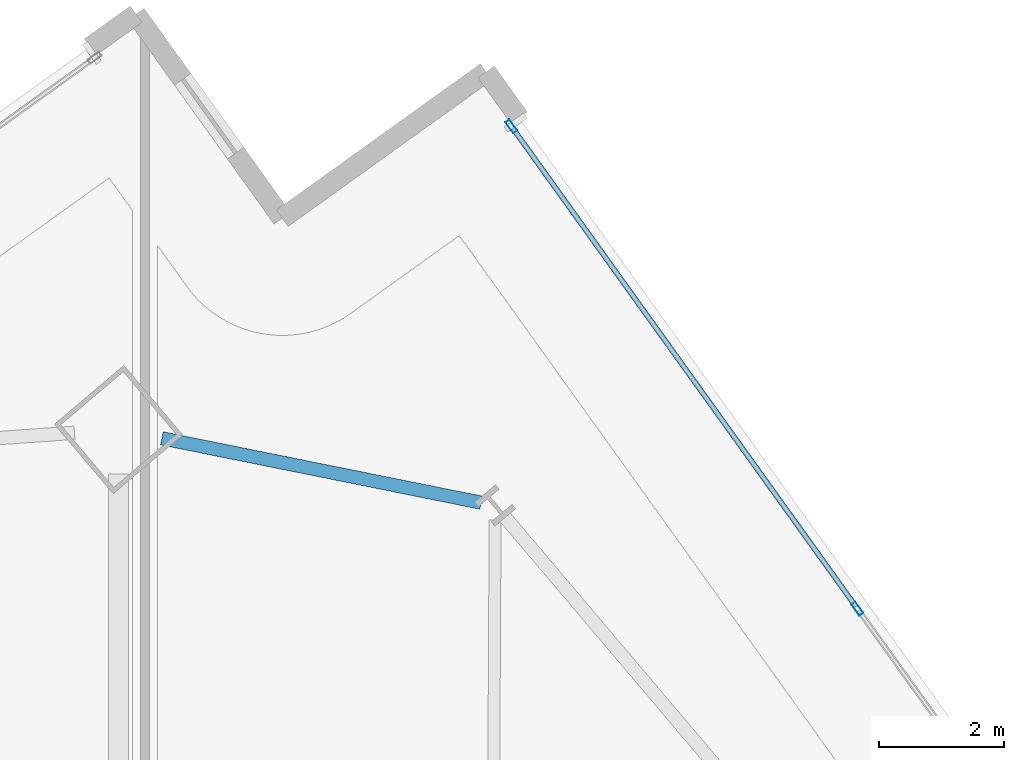
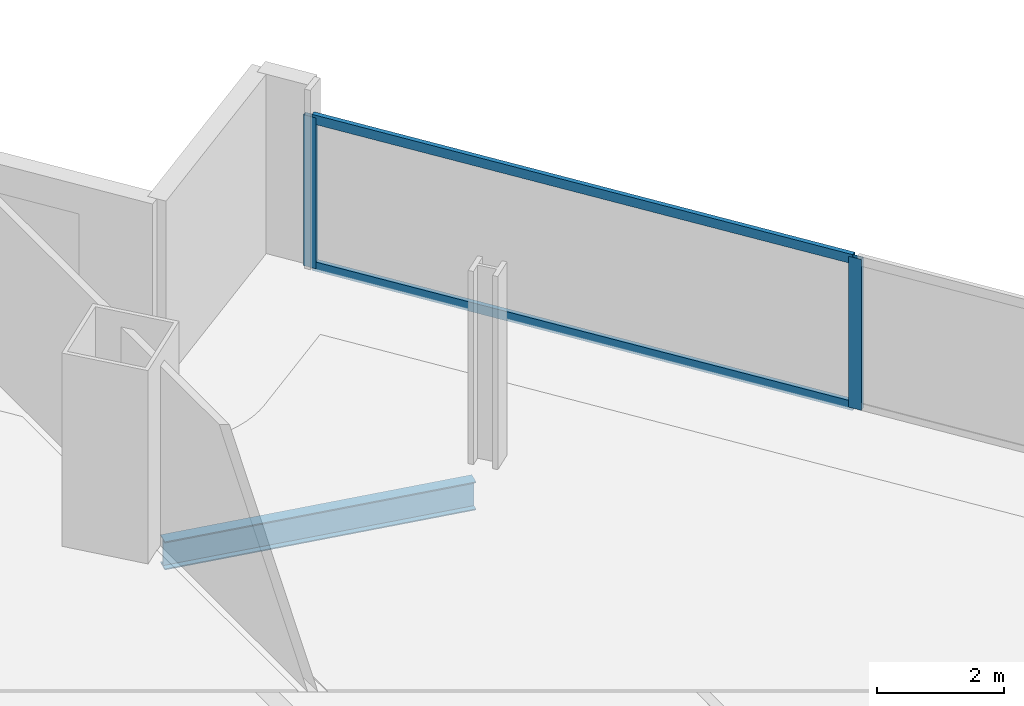
# One storey, part 21 of 33: 4 members, 1 beam, 1 element without a shape of its own.
"""IFC4 building model written with IfcOpenShell, lengths in metres."""

from ifc_helpers import new_model, si_unit, direction, frame, origin, origin_2d, place, context, subcontext, project, spatial, hollow_rectangle, i_section, extrude, material, material_profile, profile_set, type_object, element, aggregate, save


model = new_model("IFC4")

# Units and contexts
model_context = context("Model", 3, precision=1e-05, world=origin(), true_north=direction((0.0, 1.0)))
body_context = subcontext(model_context, "Body", "Model", "MODEL_VIEW")
ifc_project = project(units=[si_unit("LENGTHUNIT", "METRE"), si_unit("AREAUNIT", "SQUARE_METRE"), si_unit("VOLUMEUNIT", "CUBIC_METRE"), si_unit("PLANEANGLEUNIT", "RADIAN"), si_unit("MASSUNIT", "GRAM", prefix="KILO")], contexts=[model_context])

# Site, building, storey
site_placement = place(None, origin())
site = spatial("IfcSite", under=ifc_project, at=site_placement, CompositionType="ELEMENT")
building_placement = place(site_placement, origin())
building = spatial("IfcBuilding", under=site, at=building_placement, Name="Haldenkirk Collegiate Tower", CompositionType="ELEMENT")
storey_placement = place(building_placement, frame((0.0, 0.0, 148.199951171875)))
storey = spatial("IfcBuildingStorey", under=building, at=storey_placement, Name="L36", CompositionType="ELEMENT", Elevation=148.199951171875)

# Beam
ifc_material_1 = material(Name="Steel ASTM A992 Grade 50", Category="steel")
ifc_material_profile_1 = material_profile(ifc_material_1, i_section(OverallWidth=0.2119140625, OverallDepth=0.5439453125, WebThickness=0.01318359375, FlangeThickness=0.021240234375, at=origin_2d()), Name="W21X83")
ifc_profile_set_1 = profile_set([ifc_material_profile_1], Name="Steel ASTM A992 Grade 50")
beam_type = type_object("IfcBeamType", Name="BM-SPANDREL-W21X83", PredefinedType="SPANDREL", material=ifc_profile_set_1)
beam_placement = place(storey_placement, frame((44.85546875, 49.910400390625, -0.56201171875), z_axis=(-0.980286465062, 0.197581493102, 0.0), x_axis=(-0.197581493102, -0.980286465062, 0.0)))
element("IfcBeam", 1, at=beam_placement, inside=storey, type_object=beam_type, Name="L36 perimeter spandrel beam 08", PredefinedType="SPANDREL", context=body_context, shape_type="SweptSolid", body=[
    extrude(i_section(OverallWidth=0.2119140625, OverallDepth=0.5439453125, WebThickness=0.01318359375, FlangeThickness=0.021240234375, at=origin_2d()), origin(), (0.0, 0.0, 1.0), 5.189697265625),
])

# Curtain wall, members
ifc_material_2 = material(Name="Anodised architectural bronze aluminium", Category="aluminium")
curtain_wall_type = type_object("IfcCurtainWallType", Name="CW-SYS1-CONVEX-LOW", PredefinedType="USERDEFINED", material=ifc_material_2)
curtain_wall_placement = place(storey_placement, origin())
curtain_wall = element("IfcCurtainWall", 2, at=curtain_wall_placement, inside=storey, type_object=curtain_wall_type, Name="L36 Lower tower convex bronze-framed unitised curtain wall", ObjectType="UNITISED CURTAIN WALL", PredefinedType="USERDEFINED")
ifc_material_profile_2 = material_profile(ifc_material_2, hollow_rectangle(XDim=0.080078125, YDim=0.219970703125, WallThickness=0.0048828125, at=origin_2d()), Name="CW-MUL-1A")
ifc_profile_set_2 = profile_set([ifc_material_profile_2], Name="Anodised architectural bronze aluminium")
member_type_1 = type_object("IfcMemberType", Name="CW-MUL-1A", PredefinedType="MULLION", material=ifc_profile_set_2)
member_1_placement = place(storey_placement, frame((45.3388671875, 55.907958984375, 0.0), z_axis=(0.0, 0.0, 1.0), x_axis=(0.812592330235, 0.582832484375, 0.0)))
member_1 = element("IfcMember", 3, at=member_1_placement, type_object=member_type_1, Name="CW-1A mullion 1", PredefinedType="MULLION", context=body_context, shape_type="SweptSolid", body=[
    extrude(hollow_rectangle(XDim=0.080078125, YDim=0.219970703125, WallThickness=0.0048828125, at=origin_2d()), origin(), (0.0, 0.0, 1.0), 2.9111328125),
])
member_2_placement = place(storey_placement, frame((50.8525390625, 48.220947265625, 0.0), z_axis=(0.0, 0.0, 1.0), x_axis=(0.812592330235, 0.582832484375, 0.0)))
member_2 = element("IfcMember", 4, at=member_2_placement, type_object=member_type_1, Name="CW-1A mullion 2", PredefinedType="MULLION", context=body_context, shape_type="SweptSolid", body=[
    extrude(hollow_rectangle(XDim=0.080078125, YDim=0.219970703125, WallThickness=0.0048828125, at=origin_2d()), origin(), (0.0, 0.0, 1.0), 2.9111328125),
])
ifc_material_profile_3 = material_profile(ifc_material_2, hollow_rectangle(XDim=0.080078125, YDim=0.179931640625, WallThickness=0.0048828125, at=origin_2d()), Name="CW-TRN-1A")
ifc_profile_set_3 = profile_set([ifc_material_profile_3], Name="Anodised architectural bronze aluminium")
member_type_2 = type_object("IfcMemberType", Name="CW-TRN-1A", PredefinedType="USERDEFINED", material=ifc_profile_set_3)
member_3_placement = place(storey_placement, frame((45.362060546875, 55.87548828125, 0.0400390625), z_axis=(0.582839884487, -0.812587022448, 0.0), x_axis=(0.812587022448, 0.582839884487, 0.0)))
member_3 = element("IfcMember", 5, at=member_3_placement, type_object=member_type_2, Name="CW-1A transom 1.1", ObjectType="TRANSOM", PredefinedType="USERDEFINED", context=body_context, shape_type="SweptSolid", body=[
    extrude(hollow_rectangle(XDim=0.080078125, YDim=0.179931640625, WallThickness=0.0048828125, at=origin_2d()), origin(), (0.0, 0.0, 1.0), 9.380126953125),
])
member_4_placement = place(storey_placement, frame((45.362060546875, 55.87548828125, 2.87109375), z_axis=(0.582839884487, -0.812587022448, 0.0), x_axis=(0.812587022448, 0.582839884487, 0.0)))
member_4 = element("IfcMember", 6, at=member_4_placement, type_object=member_type_2, Name="CW-1A transom 1.2", ObjectType="TRANSOM", PredefinedType="USERDEFINED", context=body_context, shape_type="SweptSolid", body=[
    extrude(hollow_rectangle(XDim=0.080078125, YDim=0.179931640625, WallThickness=0.0048828125, at=origin_2d()), origin(), (0.0, 0.0, 1.0), 9.380126953125),
])
aggregate(curtain_wall, [member_1, member_2, member_3, member_4])

save(model, "model.ifc")
